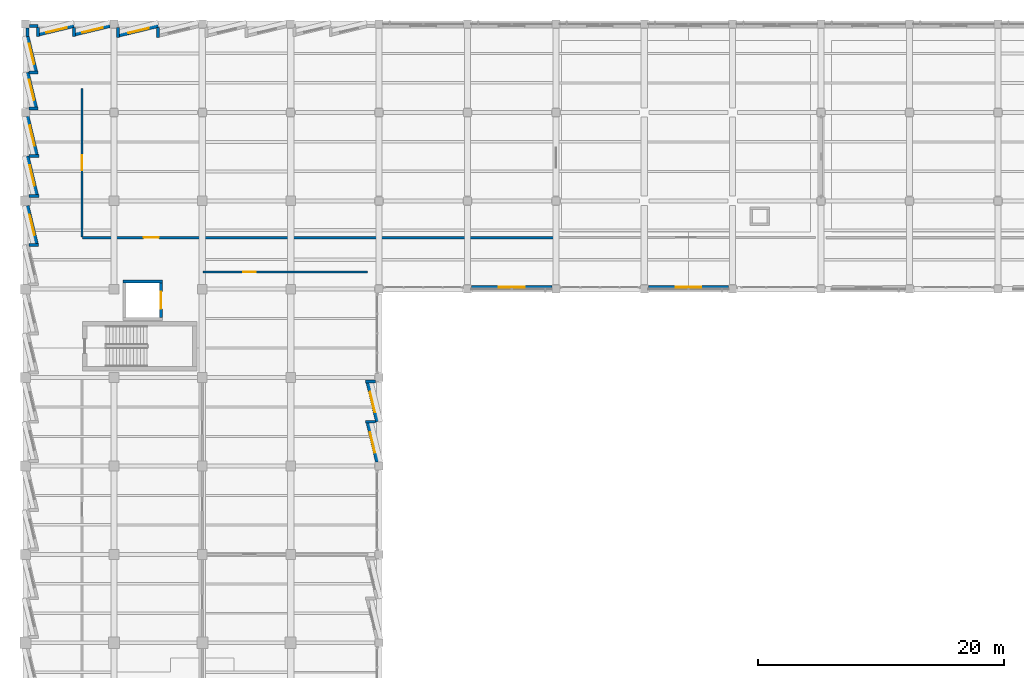
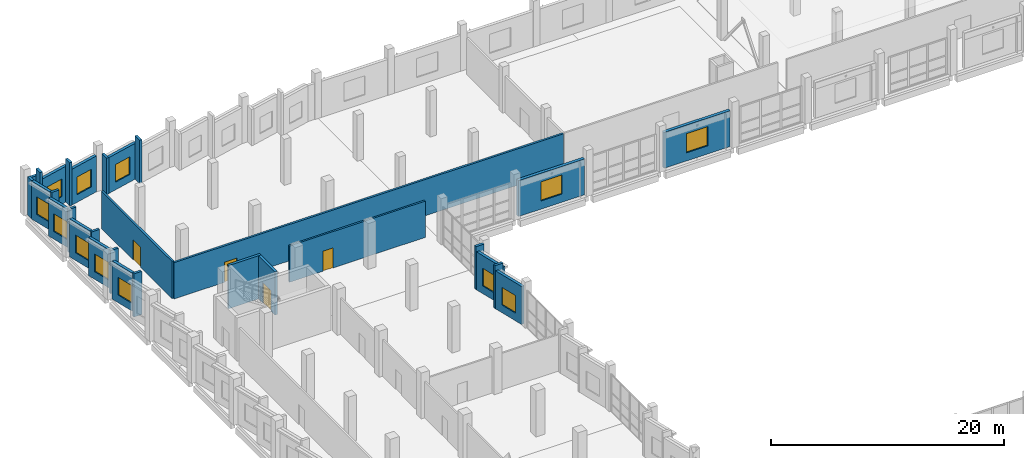
# One storey, part 97 of 127: 30 walls, 12 windows, 4 doors, 16 openings.
"""IFC4 building model written with IfcOpenShell, lengths in metres."""

from ifc_helpers import new_model, si_unit, direction, frame, frame_2d, origin, place, context, subcontext, project, spatial, rectangle, extrude, material, layer, layer_set, type_object, element, fill, save


model = new_model("IFC4")

# Units and contexts
model_context = context("Model", 3, precision=1e-05, world=origin(), true_north=direction((0.0, 1.0)))
body_context = subcontext(model_context, "Body", "Model", "MODEL_VIEW")
ifc_project = project(units=[si_unit("LENGTHUNIT", "METRE"), si_unit("AREAUNIT", "SQUARE_METRE"), si_unit("VOLUMEUNIT", "CUBIC_METRE"), si_unit("PLANEANGLEUNIT", "RADIAN"), si_unit("MASSUNIT", "GRAM", prefix="KILO")], contexts=[model_context])

# Site, building, storey
site_placement = place(None, origin())
site = spatial("IfcSite", under=ifc_project, at=site_placement, CompositionType="ELEMENT")
building_placement = place(site_placement, origin())
building = spatial("IfcBuilding", under=site, at=building_placement, Name="Kalmorath City Hall", CompositionType="ELEMENT")
storey_placement = place(building_placement, frame((0.0, 0.0, 5.39990234375)))
storey = spatial("IfcBuildingStorey", under=building, at=storey_placement, Name="L01", CompositionType="ELEMENT", Elevation=5.39990234375)

# Wall
ifc_material_1 = material(Name="Concrete C50/60", Category="concrete")
ifc_layer_1 = layer(ifc_material_1, 0.25)
ifc_layer_set_1 = layer_set([ifc_layer_1], Name="Concrete C50/60")
wall_type_1 = type_object("IfcWallType", Name="Concrete lift shaft wall 250", PredefinedType="SHEAR", material=ifc_layer_set_1)
wall_1_placement = place(storey_placement, frame((11.14990234375, 94.22509765625, 0.0), z_axis=(0.0, 0.0, 1.0), x_axis=(-1.0, 0.0, 0.0)))
element("IfcWall", 1, at=wall_1_placement, inside=storey, type_object=wall_type_1, Name="L01 SL1 lift shaft wall +y", PredefinedType="SHEAR", context=body_context, shape_type="SweptSolid", body=[
    extrude(rectangle(XDim=3.199951171875, YDim=0.25, at=frame_2d((1.60009765625, 0.0))), origin(), (0.0, 0.0, 1.0), 4.52001953125),
])

# Wall, opening, door
wall_2_placement = place(storey_placement, frame((11.02490234375, 91.300048828125, 0.0), z_axis=(0.0, 0.0, 1.0), x_axis=(0.0, 1.0, 0.0)))
wall_2 = element("IfcWall", 2, at=wall_2_placement, inside=storey, type_object=wall_type_1, Name="L01 SL1 lift shaft wall +x", PredefinedType="SHEAR", context=body_context, shape_type="SweptSolid", body=[
    extrude(rectangle(XDim=2.800048828125, YDim=0.25, at=frame_2d((1.39990234375, 0.0))), origin(), (0.0, 0.0, 1.0), 4.52001953125),
])
opening_1_placement = place(wall_2_placement, frame((0.699951171875, 0.0, 0.0)))
opening_1 = element("IfcOpeningElement", 3, at=opening_1_placement, cuts=wall_2, Name="Opening LD-087", PredefinedType="OPENING", context=body_context, shape_type="SweptSolid", body=[
    extrude(rectangle(XDim=1.39990234375, YDim=2.14990234375, at=frame_2d((0.699951171875, 1.074951171875))), frame((0.0, 0.135009765625, 0.0), z_axis=(0.0, -1.0, 0.0), x_axis=(1.0, 0.0, 0.0)), (0.0, 0.0, 1.0), 0.27001953125),
])
ifc_material_2 = material(Name="Stainless steel sliding landing door", Category="steel")
door_type_1 = type_object("IfcDoorType", Name="Goods lift sliding landing door 1400x2150", OperationType="SLIDING_TO_LEFT", PredefinedType="DOOR", material=ifc_material_2)
door_1_placement = place(opening_1_placement, origin())
door_1 = element("IfcDoor", 4, at=door_1_placement, inside=storey, type_object=door_type_1, Name="L01 door LD-087", OperationType="SLIDING_TO_LEFT", OverallHeight=2.14990234375, OverallWidth=1.39990234375, PredefinedType="DOOR", context=body_context, shape_type="SweptSolid", body=[
    extrude(rectangle(XDim=1.39990234375, YDim=2.14990234375, at=frame_2d((0.699951171875, 1.074951171875))), frame((0.0, 0.02490234375, 0.0), z_axis=(0.0, -1.0, 0.0), x_axis=(1.0, 0.0, 0.0)), (0.0, 0.0, 1.0), 0.050048828125),
])
fill(opening_1, door_1)

ifc_material_3 = material(Name="Fire-rated acoustic gypsum partition")
ifc_layer_2 = layer(ifc_material_3, 0.179931640625)
ifc_layer_set_2 = layer_set([ifc_layer_2], Name="Fire-rated acoustic gypsum partition")
wall_type_2 = type_object("IfcWallType", Name="One-hour corridor fire partition 180", PredefinedType="PARTITIONING", material=ifc_layer_set_2)
wall_3_placement = place(storey_placement, frame((14.43994140625, 95.0, 0.0), z_axis=(0.0, 0.0, 1.0), x_axis=(1.0, 0.0, 0.0)))
wall_3 = element("IfcWall", 5, at=wall_3_placement, inside=storey, type_object=wall_type_2, Name="L01 interior partition PW2 #84", PredefinedType="PARTITIONING", context=body_context, shape_type="SweptSolid", body=[
    extrude(rectangle(XDim=13.420166015625, YDim=0.179931640625, at=frame_2d((6.7099609375, 0.0))), origin(), (0.0, 0.0, 1.0), 3.801025390625),
])
opening_2_placement = place(wall_3_placement, frame((3.31494140625, 0.0, 0.0)))
opening_2 = element("IfcOpeningElement", 6, at=opening_2_placement, cuts=wall_3, Name="Opening D-L01-178", PredefinedType="OPENING", context=body_context, shape_type="SweptSolid", body=[
    extrude(rectangle(XDim=1.0, YDim=2.10009765625, at=frame_2d((0.5, 1.050048828125))), frame((0.0, 0.099853515625, 0.0), z_axis=(0.0, -1.0, 0.0), x_axis=(1.0, 0.0, 0.0)), (0.0, 0.0, 1.0), 0.199951171875),
])
ifc_material_4 = material(Name="Hardwood fire door", Category="wood")
door_type_2 = type_object("IfcDoorType", Name="Corridor 60-min fire door 1000x2100", OperationType="NOTDEFINED", PredefinedType="DOOR", material=ifc_material_4)
door_2_placement = place(opening_2_placement, origin())
door_2 = element("IfcDoor", 7, at=door_2_placement, inside=storey, type_object=door_type_2, Name="L01 door D-L01-178", OperationType="SINGLE_SWING_RIGHT", OverallHeight=2.10009765625, OverallWidth=1.0, PredefinedType="DOOR", context=body_context, shape_type="SweptSolid", body=[
    extrude(rectangle(XDim=1.0, YDim=2.10009765625, at=frame_2d((0.5, 1.050048828125))), frame((0.0, 0.02490234375, 0.0), z_axis=(0.0, -1.0, 0.0), x_axis=(1.0, 0.0, 0.0)), (0.0, 0.0, 1.0), 0.050048828125),
])
fill(opening_2, door_2)

# Walls
ifc_material_5 = material(Name="Precast concrete C40/50", Category="concrete")
ifc_layer_3 = layer(ifc_material_5, 0.239990234375)
ifc_layer_set_3 = layer_set([ifc_layer_3], Name="Precast concrete C40/50")
wall_type_3 = type_object("IfcWallType", Name="Precast sawtooth cheek wall 240", PredefinedType="SOLIDWALL", material=ifc_layer_set_3)
wall_4_placement = place(storey_placement, frame((1.072998046875, 97.199951171875, 0.0), z_axis=(0.0, 0.0, 1.0), x_axis=(-1.0, 0.0, 0.0)))
element("IfcWall", 8, at=wall_4_placement, inside=storey, type_object=wall_type_3, Name="L01 sawtooth return cheek #221", PredefinedType="SOLIDWALL", context=body_context, shape_type="SweptSolid", body=[
    extrude(rectangle(XDim=0.781005859375, YDim=0.239990234375, at=frame_2d((0.390625, 0.0))), origin(), (0.0, 0.0, 1.0), 4.52001953125),
])
for number, where, z_axis, x_axis, name in (
    (9, (1.08203125, 101.200927734375, 0.0), (0.0, 0.0, 1.0), (-1.0, 0.0, 0.0), "L01 sawtooth return cheek #223"),
    (10, (1.08203125, 104.4375, 0.0), (0.0, 0.0, 1.0), (-1.0, 0.0, 0.0), "L01 sawtooth return cheek #225"),
):
    element("IfcWall", number, at=place(storey_placement, frame(where, z_axis=z_axis, x_axis=x_axis)), inside=storey, type_object=wall_type_3, Name=name, PredefinedType="SOLIDWALL", context=body_context, shape_type="SweptSolid", body=[
        extrude(rectangle(XDim=0.7900390625, YDim=0.239990234375, at=frame_2d((0.39501953125, 0.0))), origin(), (0.0, 0.0, 1.0), 4.52001953125),
    ])
for number, where, z_axis, x_axis, name in (
    (11, (1.009521484375, 108.325927734375, 0.0), (0.0, 0.0, 1.0), (-1.0, 0.0, 0.0), "L01 sawtooth return cheek #228"),
    (12, (1.009521484375, 111.260009765625, 0.0), (0.0, 0.0, 1.0), (-1.0, 0.0, 0.0), "L01 sawtooth return cheek #230"),
):
    element("IfcWall", number, at=place(storey_placement, frame(where, z_axis=z_axis, x_axis=x_axis)), inside=storey, type_object=wall_type_3, Name=name, PredefinedType="SOLIDWALL", context=body_context, shape_type="SweptSolid", body=[
        extrude(rectangle(XDim=0.717529296875, YDim=0.239990234375, at=frame_2d((0.35888671875, 0.0))), origin(), (0.0, 0.0, 1.0), 4.52001953125),
    ])
wall_5_placement = place(storey_placement, frame((1.006103515625, 114.190673828125, 0.0), z_axis=(0.0, 0.0, 1.0), x_axis=(0.0, 1.0, 0.0)))
element("IfcWall", 13, at=wall_5_placement, inside=storey, type_object=wall_type_3, Name="L01 sawtooth return cheek #233", PredefinedType="SOLIDWALL", context=body_context, shape_type="SweptSolid", body=[
    extrude(rectangle(XDim=0.727294921875, YDim=0.239990234375, at=frame_2d((0.36376953125, 0.0))), origin(), (0.0, 0.0, 1.0), 4.52001953125),
])
wall_6_placement = place(storey_placement, frame((3.93994140625, 114.190673828125, 0.0), z_axis=(0.0, 0.0, 1.0), x_axis=(0.0, 1.0, 0.0)))
element("IfcWall", 14, at=wall_6_placement, inside=storey, type_object=wall_type_3, Name="L01 sawtooth return cheek #235", PredefinedType="SOLIDWALL", context=body_context, shape_type="SweptSolid", body=[
    extrude(rectangle(XDim=0.71728515625, YDim=0.239990234375, at=frame_2d((0.358642578125, 0.0))), origin(), (0.0, 0.0, 1.0), 4.52001953125),
])
wall_7_placement = place(storey_placement, frame((7.52587890625, 114.10888671875, 0.0), z_axis=(0.0, 0.0, 1.0), x_axis=(0.0, 1.0, 0.0)))
element("IfcWall", 15, at=wall_7_placement, inside=storey, type_object=wall_type_3, Name="L01 sawtooth return cheek #237", PredefinedType="SOLIDWALL", context=body_context, shape_type="SweptSolid", body=[
    extrude(rectangle(XDim=0.799072265625, YDim=0.239990234375, at=frame_2d((0.3994140625, 0.0))), origin(), (0.0, 0.0, 1.0), 3.801025390625),
])
for number, where, z_axis, x_axis, name in (
    (16, (10.800048828125, 114.10888671875, 0.0), (0.0, 0.0, 1.0), (0.0, 1.0, 0.0), "L01 sawtooth return cheek #239"),
    (17, (27.708984375, 86.073974609375, 0.0), (0.0, 0.0, 1.0), (1.0, 0.0, 0.0), "L01 sawtooth return cheek #330"),
    (18, (27.708984375, 82.800048828125, 0.0), (0.0, 0.0, 1.0), (1.0, 0.0, 0.0), "L01 sawtooth return cheek #332"),
):
    element("IfcWall", number, at=place(storey_placement, frame(where, z_axis=z_axis, x_axis=x_axis)), inside=storey, type_object=wall_type_3, Name=name, PredefinedType="SOLIDWALL", context=body_context, shape_type="SweptSolid", body=[
        extrude(rectangle(XDim=0.799072265625, YDim=0.239990234375, at=frame_2d((0.3994140625, 0.0))), origin(), (0.0, 0.0, 1.0), 4.52001953125),
    ])

# Wall, opening, window
ifc_material_6 = material(Name="Precast concrete C40/50", Category="concrete")
ifc_layer_4 = layer(ifc_material_6, 0.280029296875)
ifc_layer_set_4 = layer_set([ifc_layer_4], Name="Precast concrete C40/50")
wall_type_4 = type_object("IfcWallType", Name="Precast sawtooth facade wall 280", PredefinedType="SOLIDWALL", material=ifc_layer_set_4)
wall_8_placement = place(storey_placement, frame((0.90576171875, 97.29248046875, 0.0), z_axis=(0.0, 0.0, 1.0), x_axis=(-0.233462551123, 0.972365793939, 0.0)))
wall_8 = element("IfcWall", 19, at=wall_8_placement, inside=storey, type_object=wall_type_4, Name="L01 sawtooth precast frame #220", PredefinedType="SOLIDWALL", context=body_context, shape_type="SweptSolid", body=[
    extrude(rectangle(XDim=3.19482421875, YDim=0.280029296875, at=frame_2d((1.597412109375, 0.0))), origin(), (0.0, 0.0, 1.0), 3.97607421875),
])
opening_3_placement = place(wall_8_placement, frame((0.747314453125, 0.0, 0.800048828125)))
opening_3 = element("IfcOpeningElement", 20, at=opening_3_placement, cuts=wall_8, Name="Opening WN6", PredefinedType="OPENING", context=body_context, shape_type="SweptSolid", body=[
    extrude(rectangle(XDim=1.699951171875, YDim=1.85009765625, at=frame_2d((0.85009765625, 0.925048828125))), frame((0.0, 0.14990234375, 0.0), z_axis=(0.0, -1.0, 0.0), x_axis=(1.0, 0.0, 0.0)), (0.0, 0.0, 1.0), 0.300048828125),
])
ifc_material_7 = material(Name="Aluminium and laminated glass", Category="aluminium")
window_type_1 = type_object("IfcWindowType", Name="Sawtooth west wing window 1700x1850", PartitioningType="SINGLE_PANEL", PredefinedType="WINDOW", material=ifc_material_7)
window_1_placement = place(opening_3_placement, origin())
window_1 = element("IfcWindow", 21, at=window_1_placement, inside=storey, type_object=window_type_1, Name="L01 window WN6-103", OverallHeight=1.85009765625, OverallWidth=1.699951171875, PartitioningType="SINGLE_PANEL", PredefinedType="WINDOW", context=body_context, shape_type="SweptSolid", body=[
    extrude(rectangle(XDim=1.699951171875, YDim=1.85009765625, at=frame_2d((0.85009765625, 0.925048828125))), frame((0.0, 0.030029296875, 0.0), z_axis=(0.0, -1.0, 0.0), x_axis=(1.0, 0.0, 0.0)), (0.0, 0.0, 1.0), 0.06005859375),
])
fill(opening_3, window_1)

wall_9_placement = place(storey_placement, frame((0.914794921875, 101.29345703125, 0.0), z_axis=(0.0, 0.0, 1.0), x_axis=(-0.233464335324, 0.972365365556, 0.0)))
wall_9 = element("IfcWall", 22, at=wall_9_placement, inside=storey, type_object=wall_type_4, Name="L01 sawtooth precast frame #222", PredefinedType="SOLIDWALL", context=body_context, shape_type="SweptSolid", body=[
    extrude(rectangle(XDim=3.2333984375, YDim=0.280029296875, at=frame_2d((1.61669921875, 0.0))), origin(), (0.0, 0.0, 1.0), 3.97607421875),
])
opening_4_placement = place(wall_9_placement, frame((0.7666015625, 0.0, 0.800048828125)))
opening_4 = element("IfcOpeningElement", 23, at=opening_4_placement, cuts=wall_9, Name="Opening WN6", PredefinedType="OPENING", context=body_context, shape_type="SweptSolid", body=[
    extrude(rectangle(XDim=1.699951171875, YDim=1.85009765625, at=frame_2d((0.85009765625, 0.925048828125))), frame((0.0, 0.14990234375, 0.0), z_axis=(0.0, -1.0, 0.0), x_axis=(1.0, 0.0, 0.0)), (0.0, 0.0, 1.0), 0.300048828125),
])
window_2_placement = place(opening_4_placement, origin())
window_2 = element("IfcWindow", 24, at=window_2_placement, inside=storey, type_object=window_type_1, Name="L01 window WN6-104", OverallHeight=1.85009765625, OverallWidth=1.699951171875, PartitioningType="SINGLE_PANEL", PredefinedType="WINDOW", context=body_context, shape_type="SweptSolid", body=[
    extrude(rectangle(XDim=1.699951171875, YDim=1.85009765625, at=frame_2d((0.85009765625, 0.925048828125))), frame((0.0, 0.030029296875, 0.0), z_axis=(0.0, -1.0, 0.0), x_axis=(1.0, 0.0, 0.0)), (0.0, 0.0, 1.0), 0.06005859375),
])
fill(opening_4, window_2)

wall_10_placement = place(storey_placement, frame((0.914794921875, 104.52978515625, 0.0), z_axis=(0.0, 0.0, 1.0), x_axis=(-0.233447195746, 0.972369480598, 0.0)))
wall_10 = element("IfcWall", 25, at=wall_10_placement, inside=storey, type_object=wall_type_4, Name="L01 sawtooth precast frame #224", PredefinedType="SOLIDWALL", context=body_context, shape_type="SweptSolid", body=[
    extrude(rectangle(XDim=3.233642578125, YDim=0.280029296875, at=frame_2d((1.61669921875, 0.0))), origin(), (0.0, 0.0, 1.0), 3.97607421875),
])
opening_5_placement = place(wall_10_placement, frame((0.7666015625, 0.0, 0.800048828125)))
opening_5 = element("IfcOpeningElement", 26, at=opening_5_placement, cuts=wall_10, Name="Opening WN6", PredefinedType="OPENING", context=body_context, shape_type="SweptSolid", body=[
    extrude(rectangle(XDim=1.699951171875, YDim=1.85009765625, at=frame_2d((0.85009765625, 0.925048828125))), frame((0.0, 0.14990234375, 0.0), z_axis=(0.0, -1.0, 0.0), x_axis=(1.0, 0.0, 0.0)), (0.0, 0.0, 1.0), 0.300048828125),
])
window_3_placement = place(opening_5_placement, origin())
window_3 = element("IfcWindow", 27, at=window_3_placement, inside=storey, type_object=window_type_1, Name="L01 window WN6-105", OverallHeight=1.85009765625, OverallWidth=1.699951171875, PartitioningType="SINGLE_PANEL", PredefinedType="WINDOW", context=body_context, shape_type="SweptSolid", body=[
    extrude(rectangle(XDim=1.699951171875, YDim=1.85009765625, at=frame_2d((0.85009765625, 0.925048828125))), frame((0.0, 0.030029296875, 0.0), z_axis=(0.0, -1.0, 0.0), x_axis=(1.0, 0.0, 0.0)), (0.0, 0.0, 1.0), 0.06005859375),
])
fill(opening_5, window_3)

wall_11_placement = place(storey_placement, frame((0.84228515625, 108.41845703125, 0.0), z_axis=(0.0, 0.0, 1.0), x_axis=(-0.233502498826, 0.97235620173, 0.0)))
wall_11 = element("IfcWall", 28, at=wall_11_placement, inside=storey, type_object=wall_type_4, Name="L01 sawtooth precast frame #227", PredefinedType="SOLIDWALL", context=body_context, shape_type="SweptSolid", body=[
    extrude(rectangle(XDim=2.92236328125, YDim=0.280029296875, at=frame_2d((1.461181640625, 0.0))), origin(), (0.0, 0.0, 1.0), 3.97607421875),
])
opening_6_placement = place(wall_11_placement, frame((0.611083984375, 0.0, 0.800048828125)))
opening_6 = element("IfcOpeningElement", 29, at=opening_6_placement, cuts=wall_11, Name="Opening WN6", PredefinedType="OPENING", context=body_context, shape_type="SweptSolid", body=[
    extrude(rectangle(XDim=1.699951171875, YDim=1.85009765625, at=frame_2d((0.85009765625, 0.925048828125))), frame((0.0, 0.14990234375, 0.0), z_axis=(0.0, -1.0, 0.0), x_axis=(1.0, 0.0, 0.0)), (0.0, 0.0, 1.0), 0.300048828125),
])
window_4_placement = place(opening_6_placement, origin())
window_4 = element("IfcWindow", 30, at=window_4_placement, inside=storey, type_object=window_type_1, Name="L01 window WN6-106", OverallHeight=1.85009765625, OverallWidth=1.699951171875, PartitioningType="SINGLE_PANEL", PredefinedType="WINDOW", context=body_context, shape_type="SweptSolid", body=[
    extrude(rectangle(XDim=1.699951171875, YDim=1.85009765625, at=frame_2d((0.85009765625, 0.925048828125))), frame((0.0, 0.030029296875, 0.0), z_axis=(0.0, -1.0, 0.0), x_axis=(1.0, 0.0, 0.0)), (0.0, 0.0, 1.0), 0.06005859375),
])
fill(opening_6, window_4)

wall_12_placement = place(storey_placement, frame((0.84228515625, 111.352294921875, 0.0), z_axis=(0.0, 0.0, 1.0), x_axis=(-0.233483532099, 0.972360756221, 0.0)))
wall_12 = element("IfcWall", 31, at=wall_12_placement, inside=storey, type_object=wall_type_4, Name="L01 sawtooth precast frame #229", PredefinedType="SOLIDWALL", context=body_context, shape_type="SweptSolid", body=[
    extrude(rectangle(XDim=2.922607421875, YDim=0.280029296875, at=frame_2d((1.46142578125, 0.0))), origin(), (0.0, 0.0, 1.0), 3.97607421875),
])
opening_7_placement = place(wall_12_placement, frame((0.611083984375, 0.0, 0.800048828125)))
opening_7 = element("IfcOpeningElement", 32, at=opening_7_placement, cuts=wall_12, Name="Opening WN6", PredefinedType="OPENING", context=body_context, shape_type="SweptSolid", body=[
    extrude(rectangle(XDim=1.699951171875, YDim=1.85009765625, at=frame_2d((0.85009765625, 0.925048828125))), frame((0.0, 0.14990234375, 0.0), z_axis=(0.0, -1.0, 0.0), x_axis=(1.0, 0.0, 0.0)), (0.0, 0.0, 1.0), 0.300048828125),
])
window_5_placement = place(opening_7_placement, origin())
window_5 = element("IfcWindow", 33, at=window_5_placement, inside=storey, type_object=window_type_1, Name="L01 window WN6-107", OverallHeight=1.85009765625, OverallWidth=1.699951171875, PartitioningType="SINGLE_PANEL", PredefinedType="WINDOW", context=body_context, shape_type="SweptSolid", body=[
    extrude(rectangle(XDim=1.699951171875, YDim=1.85009765625, at=frame_2d((0.85009765625, 0.925048828125))), frame((0.0, 0.030029296875, 0.0), z_axis=(0.0, -1.0, 0.0), x_axis=(1.0, 0.0, 0.0)), (0.0, 0.0, 1.0), 0.06005859375),
])
fill(opening_7, window_5)

wall_13_placement = place(storey_placement, frame((1.098388671875, 114.35791015625, 0.0), z_axis=(0.0, 0.0, 1.0), x_axis=(0.972375167114, 0.233423508628, 0.0)))
wall_13 = element("IfcWall", 34, at=wall_13_placement, inside=storey, type_object=wall_type_4, Name="L01 sawtooth precast frame #232", PredefinedType="SOLIDWALL", context=body_context, shape_type="SweptSolid", body=[
    extrude(rectangle(XDim=2.92236328125, YDim=0.280029296875, at=frame_2d((1.461181640625, 0.0))), origin(), (0.0, 0.0, 1.0), 3.7509765625),
])
opening_8_placement = place(wall_13_placement, frame((0.611083984375, 0.0, 0.800048828125)))
opening_8 = element("IfcOpeningElement", 35, at=opening_8_placement, cuts=wall_13, Name="Opening WN6", PredefinedType="OPENING", context=body_context, shape_type="SweptSolid", body=[
    extrude(rectangle(XDim=1.699951171875, YDim=1.85009765625, at=frame_2d((0.85009765625, 0.925048828125))), frame((0.0, 0.14990234375, 0.0), z_axis=(0.0, -1.0, 0.0), x_axis=(1.0, 0.0, 0.0)), (0.0, 0.0, 1.0), 0.300048828125),
])
window_6_placement = place(opening_8_placement, origin())
window_6 = element("IfcWindow", 36, at=window_6_placement, inside=storey, type_object=window_type_1, Name="L01 window WN6-108", OverallHeight=1.85009765625, OverallWidth=1.699951171875, PartitioningType="SINGLE_PANEL", PredefinedType="WINDOW", context=body_context, shape_type="SweptSolid", body=[
    extrude(rectangle(XDim=1.699951171875, YDim=1.85009765625, at=frame_2d((0.85009765625, 0.925048828125))), frame((0.0, 0.030029296875, 0.0), z_axis=(0.0, -1.0, 0.0), x_axis=(1.0, 0.0, 0.0)), (0.0, 0.0, 1.0), 0.06005859375),
])
fill(opening_8, window_6)

wall_14_placement = place(storey_placement, frame((4.032470703125, 114.35791015625, 0.0), z_axis=(0.0, 0.0, 1.0), x_axis=(0.972375167114, 0.233423508628, 0.0)))
wall_14 = element("IfcWall", 37, at=wall_14_placement, inside=storey, type_object=wall_type_4, Name="L01 sawtooth precast frame #234", PredefinedType="SOLIDWALL", context=body_context, shape_type="SweptSolid", body=[
    extrude(rectangle(XDim=2.92236328125, YDim=0.280029296875, at=frame_2d((1.461181640625, 0.0))), origin(), (0.0, 0.0, 1.0), 3.7509765625),
])
opening_9_placement = place(wall_14_placement, frame((0.611083984375, 0.0, 0.800048828125)))
opening_9 = element("IfcOpeningElement", 38, at=opening_9_placement, cuts=wall_14, Name="Opening WN6", PredefinedType="OPENING", context=body_context, shape_type="SweptSolid", body=[
    extrude(rectangle(XDim=1.699951171875, YDim=1.85009765625, at=frame_2d((0.85009765625, 0.925048828125))), frame((0.0, 0.14990234375, 0.0), z_axis=(0.0, -1.0, 0.0), x_axis=(1.0, 0.0, 0.0)), (0.0, 0.0, 1.0), 0.300048828125),
])
window_7_placement = place(opening_9_placement, origin())
window_7 = element("IfcWindow", 39, at=window_7_placement, inside=storey, type_object=window_type_1, Name="L01 window WN6-109", OverallHeight=1.85009765625, OverallWidth=1.699951171875, PartitioningType="SINGLE_PANEL", PredefinedType="WINDOW", context=body_context, shape_type="SweptSolid", body=[
    extrude(rectangle(XDim=1.699951171875, YDim=1.85009765625, at=frame_2d((0.85009765625, 0.925048828125))), frame((0.0, 0.030029296875, 0.0), z_axis=(0.0, -1.0, 0.0), x_axis=(1.0, 0.0, 0.0)), (0.0, 0.0, 1.0), 0.06005859375),
])
fill(opening_9, window_7)

wall_15_placement = place(storey_placement, frame((7.618408203125, 114.276123046875, 0.0), z_axis=(0.0, 0.0, 1.0), x_axis=(0.972364947293, 0.233466077354, 0.0)))
wall_15 = element("IfcWall", 40, at=wall_15_placement, inside=storey, type_object=wall_type_4, Name="L01 sawtooth precast frame #236", PredefinedType="SOLIDWALL", context=body_context, shape_type="SweptSolid", body=[
    extrude(rectangle(XDim=3.27197265625, YDim=0.280029296875, at=frame_2d((1.635986328125, 0.0))), origin(), (0.0, 0.0, 1.0), 3.7509765625),
])
opening_10_placement = place(wall_15_placement, frame((0.785888671875, 0.0, 0.800048828125)))
opening_10 = element("IfcOpeningElement", 41, at=opening_10_placement, cuts=wall_15, Name="Opening WN6", PredefinedType="OPENING", context=body_context, shape_type="SweptSolid", body=[
    extrude(rectangle(XDim=1.699951171875, YDim=1.85009765625, at=frame_2d((0.85009765625, 0.925048828125))), frame((0.0, 0.14990234375, 0.0), z_axis=(0.0, -1.0, 0.0), x_axis=(1.0, 0.0, 0.0)), (0.0, 0.0, 1.0), 0.300048828125),
])
window_8_placement = place(opening_10_placement, origin())
window_8 = element("IfcWindow", 42, at=window_8_placement, inside=storey, type_object=window_type_1, Name="L01 window WN6-110", OverallHeight=1.85009765625, OverallWidth=1.699951171875, PartitioningType="SINGLE_PANEL", PredefinedType="WINDOW", context=body_context, shape_type="SweptSolid", body=[
    extrude(rectangle(XDim=1.699951171875, YDim=1.85009765625, at=frame_2d((0.85009765625, 0.925048828125))), frame((0.0, 0.030029296875, 0.0), z_axis=(0.0, -1.0, 0.0), x_axis=(1.0, 0.0, 0.0)), (0.0, 0.0, 1.0), 0.06005859375),
])
fill(opening_10, window_8)

wall_16_placement = place(storey_placement, frame((27.876220703125, 85.981689453125, 0.0), z_axis=(0.0, 0.0, 1.0), x_axis=(0.233395528793, -0.972381883387, 0.0)))
wall_16 = element("IfcWall", 43, at=wall_16_placement, inside=storey, type_object=wall_type_4, Name="L01 sawtooth precast frame #329", PredefinedType="SOLIDWALL", context=body_context, shape_type="SweptSolid", body=[
    extrude(rectangle(XDim=3.27197265625, YDim=0.280029296875, at=frame_2d((1.635986328125, 0.0))), origin(), (0.0, 0.0, 1.0), 3.97607421875),
])
opening_11_placement = place(wall_16_placement, frame((0.785888671875, 0.0, 0.800048828125)))
opening_11 = element("IfcOpeningElement", 44, at=opening_11_placement, cuts=wall_16, Name="Opening WN6", PredefinedType="OPENING", context=body_context, shape_type="SweptSolid", body=[
    extrude(rectangle(XDim=1.699951171875, YDim=1.85009765625, at=frame_2d((0.85009765625, 0.925048828125))), frame((0.0, 0.14990234375, 0.0), z_axis=(0.0, -1.0, 0.0), x_axis=(1.0, 0.0, 0.0)), (0.0, 0.0, 1.0), 0.300048828125),
])
window_9_placement = place(opening_11_placement, origin())
window_9 = element("IfcWindow", 45, at=window_9_placement, inside=storey, type_object=window_type_1, Name="L01 window WN6-160", OverallHeight=1.85009765625, OverallWidth=1.699951171875, PartitioningType="SINGLE_PANEL", PredefinedType="WINDOW", context=body_context, shape_type="SweptSolid", body=[
    extrude(rectangle(XDim=1.699951171875, YDim=1.85009765625, at=frame_2d((0.85009765625, 0.925048828125))), frame((0.0, 0.030029296875, 0.0), z_axis=(0.0, -1.0, 0.0), x_axis=(1.0, 0.0, 0.0)), (0.0, 0.0, 1.0), 0.06005859375),
])
fill(opening_11, window_9)

wall_17_placement = place(storey_placement, frame((27.876220703125, 82.70751953125, 0.0), z_axis=(0.0, 0.0, 1.0), x_axis=(0.233395528793, -0.972381883387, 0.0)))
wall_17 = element("IfcWall", 46, at=wall_17_placement, inside=storey, type_object=wall_type_4, Name="L01 sawtooth precast frame #331", PredefinedType="SOLIDWALL", context=body_context, shape_type="SweptSolid", body=[
    extrude(rectangle(XDim=3.27197265625, YDim=0.280029296875, at=frame_2d((1.635986328125, 0.0))), origin(), (0.0, 0.0, 1.0), 3.97607421875),
])
opening_12_placement = place(wall_17_placement, frame((0.785888671875, 0.0, 0.800048828125)))
opening_12 = element("IfcOpeningElement", 47, at=opening_12_placement, cuts=wall_17, Name="Opening WN6", PredefinedType="OPENING", context=body_context, shape_type="SweptSolid", body=[
    extrude(rectangle(XDim=1.699951171875, YDim=1.85009765625, at=frame_2d((0.85009765625, 0.925048828125))), frame((0.0, 0.14990234375, 0.0), z_axis=(0.0, -1.0, 0.0), x_axis=(1.0, 0.0, 0.0)), (0.0, 0.0, 1.0), 0.300048828125),
])
window_10_placement = place(opening_12_placement, origin())
window_10 = element("IfcWindow", 48, at=window_10_placement, inside=storey, type_object=window_type_1, Name="L01 window WN6-161", OverallHeight=1.85009765625, OverallWidth=1.699951171875, PartitioningType="SINGLE_PANEL", PredefinedType="WINDOW", context=body_context, shape_type="SweptSolid", body=[
    extrude(rectangle(XDim=1.699951171875, YDim=1.85009765625, at=frame_2d((0.85009765625, 0.925048828125))), frame((0.0, 0.030029296875, 0.0), z_axis=(0.0, -1.0, 0.0), x_axis=(1.0, 0.0, 0.0)), (0.0, 0.0, 1.0), 0.06005859375),
])
fill(opening_12, window_10)

# Walls
ifc_material_8 = material(Name="Precast concrete C40/50", Category="concrete")
ifc_layer_5 = layer(ifc_material_8, 0.260009765625)
ifc_layer_set_5 = layer_set([ifc_layer_5], Name="Precast concrete C40/50")
wall_type_5 = type_object("IfcWallType", Name="Precast sawtooth return wall 260", PredefinedType="SOLIDWALL", material=ifc_layer_set_5)
wall_18_placement = place(storey_placement, frame((0.159912109375, 114.194091796875, 0.0), z_axis=(0.0, 0.0, 1.0), x_axis=(0.0, 1.0, 0.0)))
element("IfcWall", 49, at=wall_18_placement, inside=storey, type_object=wall_type_5, Name="L01 corner pier wall #226", PredefinedType="SOLIDWALL", context=body_context, shape_type="SweptSolid", body=[
    extrude(rectangle(XDim=0.679931640625, YDim=0.260009765625, at=frame_2d((0.33984375, 0.0))), origin(), (0.0, 0.0, 1.0), 3.97607421875),
])
wall_19_placement = place(storey_placement, frame((0.325927734375, 115.0400390625, 0.0), z_axis=(0.0, 0.0, 1.0), x_axis=(1.0, 0.0, 0.0)))
element("IfcWall", 50, at=wall_19_placement, inside=storey, type_object=wall_type_5, Name="L01 corner pier wall #231", PredefinedType="SOLIDWALL", context=body_context, shape_type="SweptSolid", body=[
    extrude(rectangle(XDim=0.68017578125, YDim=0.260009765625, at=frame_2d((0.340087890625, 0.0))), origin(), (0.0, 0.0, 1.0), 3.7509765625),
])

# Wall, opening, door
ifc_material_9 = material(Name="Gypsum fire-rated shaftliner partition")
ifc_layer_6 = layer(ifc_material_9, 0.199951171875)
ifc_layer_set_6 = layer_set([ifc_layer_6], Name="Gypsum fire-rated shaftliner partition")
wall_type_6 = type_object("IfcWallType", Name="Two-hour fire barrier partition 200", PredefinedType="PARTITIONING", material=ifc_layer_set_6)
wall_20_placement = place(storey_placement, frame((4.60009765625, 97.840087890625, 0.0), z_axis=(0.0, 0.0, 1.0), x_axis=(0.0, 1.0, 0.0)))
wall_20 = element("IfcWall", 51, at=wall_20_placement, inside=storey, type_object=wall_type_6, Name="L01 interior partition PW1 #70", PredefinedType="PARTITIONING", context=body_context, shape_type="SweptSolid", body=[
    extrude(rectangle(XDim=12.119873046875, YDim=0.199951171875, at=frame_2d((6.06005859375, 0.0))), origin(), (0.0, 0.0, 1.0), 3.88916015625),
])
opening_13_placement = place(wall_20_placement, frame((5.43505859375, 0.0, 0.0)))
opening_13 = element("IfcOpeningElement", 52, at=opening_13_placement, cuts=wall_20, Name="Opening D-L01-181", PredefinedType="OPENING", context=body_context, shape_type="SweptSolid", body=[
    extrude(rectangle(XDim=1.25, YDim=2.10009765625, at=frame_2d((0.625, 1.050048828125))), frame((0.0, 0.10986328125, 0.0), z_axis=(0.0, -1.0, 0.0), x_axis=(1.0, 0.0, 0.0)), (0.0, 0.0, 1.0), 0.219970703125),
])
ifc_material_10 = material(Name="Galvanised steel fire door", Category="steel")
door_type_3 = type_object("IfcDoorType", Name="Plant and archive 90-min fire door 1250x2100", OperationType="NOTDEFINED", PredefinedType="DOOR", material=ifc_material_10)
door_3_placement = place(opening_13_placement, origin())
door_3 = element("IfcDoor", 53, at=door_3_placement, inside=storey, type_object=door_type_3, Name="L01 door D-L01-181", OperationType="SINGLE_SWING_LEFT", OverallHeight=2.10009765625, OverallWidth=1.25, PredefinedType="DOOR", context=body_context, shape_type="SweptSolid", body=[
    extrude(rectangle(XDim=1.25, YDim=2.10009765625, at=frame_2d((0.625, 1.050048828125))), frame((0.0, 0.02490234375, 0.0), z_axis=(0.0, -1.0, 0.0), x_axis=(1.0, 0.0, 0.0)), (0.0, 0.0, 1.0), 0.050048828125),
])
fill(opening_13, door_3)

wall_21_placement = place(storey_placement, frame((4.639892578125, 97.800048828125, 0.0), z_axis=(0.0, 0.0, 1.0), x_axis=(1.0, 0.0, 0.0)))
wall_21 = element("IfcWall", 54, at=wall_21_placement, inside=storey, type_object=wall_type_6, Name="L01 interior partition PW1 #85", PredefinedType="PARTITIONING", context=body_context, shape_type="SweptSolid", body=[
    extrude(rectangle(XDim=38.52001953125, YDim=0.199951171875, at=frame_2d((19.260009765625, 0.0))), origin(), (0.0, 0.0, 1.0), 3.801025390625),
])
opening_14_placement = place(wall_21_placement, frame((4.9736328125, 0.0, 0.0)))
opening_14 = element("IfcOpeningElement", 55, at=opening_14_placement, cuts=wall_21, Name="Opening D-L01-180", PredefinedType="OPENING", context=body_context, shape_type="SweptSolid", body=[
    extrude(rectangle(XDim=1.25, YDim=2.10009765625, at=frame_2d((0.625, 1.050048828125))), frame((0.0, 0.10986328125, 0.0), z_axis=(0.0, -1.0, 0.0), x_axis=(1.0, 0.0, 0.0)), (0.0, 0.0, 1.0), 0.219970703125),
])
door_4_placement = place(opening_14_placement, origin())
door_4 = element("IfcDoor", 56, at=door_4_placement, inside=storey, type_object=door_type_3, Name="L01 door D-L01-180", OperationType="SINGLE_SWING_RIGHT", OverallHeight=2.10009765625, OverallWidth=1.25, PredefinedType="DOOR", context=body_context, shape_type="SweptSolid", body=[
    extrude(rectangle(XDim=1.25, YDim=2.10009765625, at=frame_2d((0.625, 1.050048828125))), frame((0.0, 0.02490234375, 0.0), z_axis=(0.0, -1.0, 0.0), x_axis=(1.0, 0.0, 0.0)), (0.0, 0.0, 1.0), 0.050048828125),
])
fill(opening_14, door_4)

# Wall, opening, window
ifc_material_11 = material(Name="Concrete C40/50", Category="concrete")
ifc_layer_7 = layer(ifc_material_11, 0.300048828125)
ifc_layer_set_7 = layer_set([ifc_layer_7], Name="Concrete C40/50")
wall_type_7 = type_object("IfcWallType", Name="Volcanic basalt backup wall 300", PredefinedType="SOLIDWALL", material=ifc_layer_set_7)
wall_22_placement = place(storey_placement, frame((57.27392578125, 93.760009765625, 0.0), z_axis=(0.0, 0.0, 1.0), x_axis=(-1.0, 0.0, 0.0)))
wall_22 = element("IfcWall", 57, at=wall_22_placement, inside=storey, type_object=wall_type_7, Name="L01 basalt wing wall #327", PredefinedType="SOLIDWALL", context=body_context, shape_type="SweptSolid", body=[
    extrude(rectangle(XDim=6.5478515625, YDim=0.300048828125, at=frame_2d((3.27392578125, 0.0))), origin(), (0.0, 0.0, 1.0), 3.7509765625),
])
opening_15_placement = place(wall_22_placement, frame((2.22412109375, 0.0, 0.85009765625)))
opening_15 = element("IfcOpeningElement", 58, at=opening_15_placement, cuts=wall_22, Name="Opening WN9", PredefinedType="OPENING", context=body_context, shape_type="SweptSolid", body=[
    extrude(rectangle(XDim=2.10009765625, YDim=2.0, at=frame_2d((1.050048828125, 1.0))), frame((0.0, 0.159912109375, 0.0), z_axis=(0.0, -1.0, 0.0), x_axis=(1.0, 0.0, 0.0)), (0.0, 0.0, 1.0), 0.320068359375),
])
ifc_material_12 = material(Name="Bronze-anodised aluminium and glass", Category="aluminium")
window_type_2 = type_object("IfcWindowType", Name="Basalt committee window 2100x2000", PartitioningType="SINGLE_PANEL", PredefinedType="WINDOW", material=ifc_material_12)
window_11_placement = place(opening_15_placement, origin())
window_11 = element("IfcWindow", 59, at=window_11_placement, inside=storey, type_object=window_type_2, Name="L01 window WN9-158", OverallHeight=2.0, OverallWidth=2.10009765625, PartitioningType="SINGLE_PANEL", PredefinedType="WINDOW", context=body_context, shape_type="SweptSolid", body=[
    extrude(rectangle(XDim=2.10009765625, YDim=2.0, at=frame_2d((1.050048828125, 1.0))), frame((0.0, 0.030029296875, 0.0), z_axis=(0.0, -1.0, 0.0), x_axis=(1.0, 0.0, 0.0)), (0.0, 0.0, 1.0), 0.06005859375),
])
fill(opening_15, window_11)

wall_23_placement = place(storey_placement, frame((42.8740234375, 93.760009765625, 0.0), z_axis=(0.0, 0.0, 1.0), x_axis=(-1.0, 0.0, 0.0)))
wall_23 = element("IfcWall", 60, at=wall_23_placement, inside=storey, type_object=wall_type_7, Name="L01 basalt wing wall #328", PredefinedType="SOLIDWALL", context=body_context, shape_type="SweptSolid", body=[
    extrude(rectangle(XDim=6.548095703125, YDim=0.300048828125, at=frame_2d((3.27392578125, 0.0))), origin(), (0.0, 0.0, 1.0), 3.7509765625),
])
opening_16_placement = place(wall_23_placement, frame((2.22412109375, 0.0, 0.85009765625)))
opening_16 = element("IfcOpeningElement", 61, at=opening_16_placement, cuts=wall_23, Name="Opening WN9", PredefinedType="OPENING", context=body_context, shape_type="SweptSolid", body=[
    extrude(rectangle(XDim=2.10009765625, YDim=2.0, at=frame_2d((1.050048828125, 1.0))), frame((0.0, 0.159912109375, 0.0), z_axis=(0.0, -1.0, 0.0), x_axis=(1.0, 0.0, 0.0)), (0.0, 0.0, 1.0), 0.320068359375),
])
window_12_placement = place(opening_16_placement, origin())
window_12 = element("IfcWindow", 62, at=window_12_placement, inside=storey, type_object=window_type_2, Name="L01 window WN9-159", OverallHeight=2.0, OverallWidth=2.10009765625, PartitioningType="SINGLE_PANEL", PredefinedType="WINDOW", context=body_context, shape_type="SweptSolid", body=[
    extrude(rectangle(XDim=2.10009765625, YDim=2.0, at=frame_2d((1.050048828125, 1.0))), frame((0.0, 0.030029296875, 0.0), z_axis=(0.0, -1.0, 0.0), x_axis=(1.0, 0.0, 0.0)), (0.0, 0.0, 1.0), 0.06005859375),
])
fill(opening_16, window_12)

save(model, "model.ifc")
